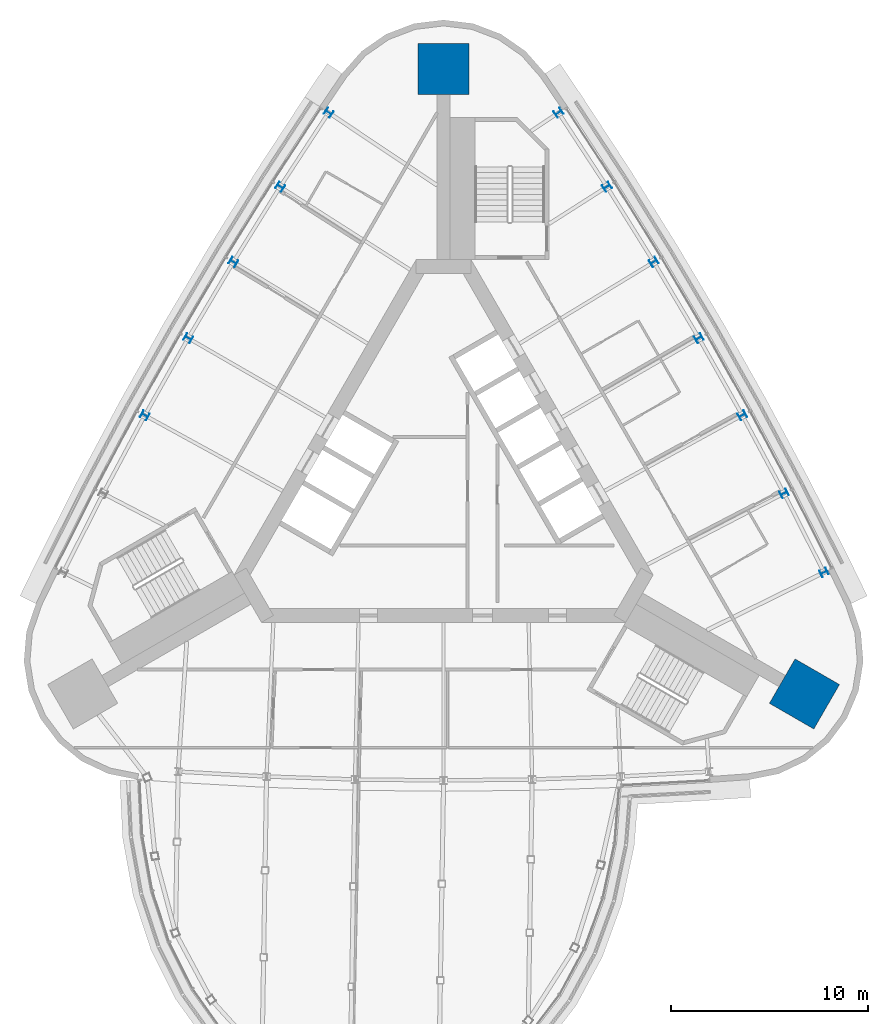
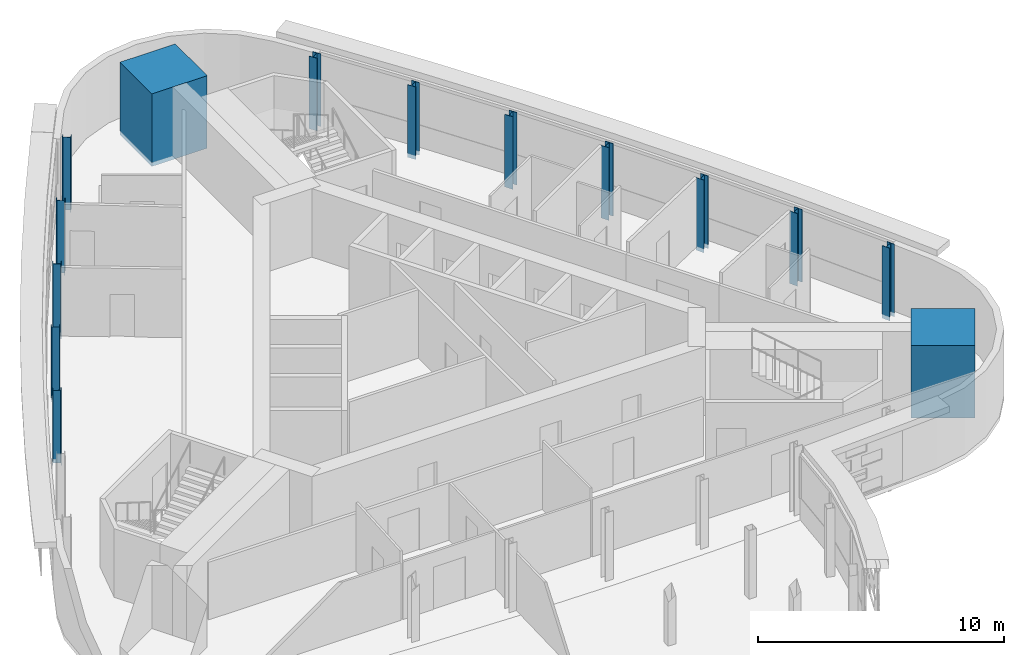
# One storey, part 2 of 14: 14 columns.
"""IFC4 building model written with IfcOpenShell, lengths in metres."""

from ifc_helpers import new_model, si_unit, direction, frame, origin, origin_2d, place, context, subcontext, project, spatial, rectangle, i_section, extrude, material, material_profile, profile_set, type_object, element, save


model = new_model("IFC4")

# Units and contexts
model_context = context("Model", 3, precision=1e-05, world=origin(), true_north=direction((0.0, 1.0)))
body_context = subcontext(model_context, "Body", "Model", "MODEL_VIEW")
ifc_project = project(units=[si_unit("LENGTHUNIT", "METRE"), si_unit("AREAUNIT", "SQUARE_METRE"), si_unit("VOLUMEUNIT", "CUBIC_METRE"), si_unit("PLANEANGLEUNIT", "RADIAN"), si_unit("MASSUNIT", "GRAM", prefix="KILO")], contexts=[model_context])

# Site, building, storey
site_placement = place(None, origin())
site = spatial("IfcSite", under=ifc_project, at=site_placement, CompositionType="ELEMENT")
building_placement = place(site_placement, origin())
building = spatial("IfcBuilding", under=site, at=building_placement, Name="Noor Cloister Tower", CompositionType="ELEMENT")
storey_placement = place(building_placement, frame((0.0, 0.0, 222.0)))
storey = spatial("IfcBuildingStorey", under=building, at=storey_placement, Name="L57", CompositionType="ELEMENT", Elevation=222.0)

# Columns
ifc_material_1 = material(Name="Steel ASTM A992 Gr 50", Category="steel")
ifc_material_profile_1 = material_profile(ifc_material_1, i_section(OverallWidth=0.373046875, OverallDepth=0.367919921875, WebThickness=0.014892578125, FlangeThickness=0.02392578125, FilletRadius=0.01513671875, at=origin_2d()), Name="W360x179")
ifc_profile_set_1 = profile_set([ifc_material_profile_1], Name="Steel ASTM A992 Gr 50")
column_type_1 = type_object("IfcColumnType", Name="Column W360x179", PredefinedType="COLUMN", material=ifc_profile_set_1)
for number, where, z_axis, x_axis, name in (
    (1, (-5.8251953125, 18.89794921875, -0.199951171875), (0.0, 0.0, 1.0), (-0.556360252768, -0.830941194755, 0.0), "Column NW 01 L57"),
    (2, (-8.280517578125, 15.1416015625, -0.199951171875), (0.0, 0.0, 1.0), (-0.537833901726, -0.843050825369, 0.0), "Column NW 02 L57"),
    (3, (-10.652099609375, 11.331787109375, -0.199951171875), (0.0, 0.0, 1.0), (-0.519044082631, -0.854747471647, 0.0), "Column NW 03 L57"),
    (4, (-12.93896484375, 7.47021484375, -0.199951171875), (0.0, 0.0, 1.0), (-0.5, -0.866025403784, 0.0), "Column NW 04 L57"),
    (5, (-15.1396484375, 3.55908203125, -0.199951171875), (0.0, 0.0, 1.0), (-0.480710982951, -0.876879097065, 0.0), "Column NW 05 L57"),
    (6, (19.278564453125, -4.404296875, -0.199951171875), (0.0, 0.0, 1.0), (-0.441436057324, 0.89729270993, 0.0), "Column NE 01 L57"),
    (7, (17.253173828125, -0.399658203125, -0.199951171875), (0.0, 0.0, 1.0), (-0.461186480588, 0.887303234595, 0.0), "Column NE 02 L57"),
    (8, (15.1396484375, 3.55908203125, -0.199951171875), (0.0, 0.0, 1.0), (-0.480710982951, 0.876879097065, 0.0), "Column NE 03 L57"),
    (9, (12.93896484375, 7.47021484375, -0.199951171875), (0.0, 0.0, 1.0), (-0.5, 0.866025403784, 0.0), "Column NE 04 L57"),
    (10, (10.652099609375, 11.331787109375, -0.199951171875), (0.0, 0.0, 1.0), (-0.519044082631, 0.854747471647, 0.0), "Column NE 05 L57"),
    (11, (8.280517578125, 15.1416015625, -0.199951171875), (0.0, 0.0, 1.0), (-0.537833901726, 0.843050825369, 0.0), "Column NE 06 L57"),
    (12, (5.8251953125, 18.89794921875, -0.199951171875), (0.0, 0.0, 1.0), (-0.556360252768, 0.830941194755, 0.0), "Column NE 07 L57"),
):
    element("IfcColumn", number, at=place(storey_placement, frame(where, z_axis=z_axis, x_axis=x_axis)), inside=storey, type_object=column_type_1, Name=name, PredefinedType="COLUMN", context=body_context, shape_type="SweptSolid", body=[
        extrude(i_section(OverallWidth=0.373046875, OverallDepth=0.367919921875, WebThickness=0.014892578125, FlangeThickness=0.02392578125, FilletRadius=0.01513671875, at=origin_2d()), origin(), (0.0, 0.0, 1.0), 3.599853515625),
    ])
ifc_material_2 = material(Name="Concrete C60/75", Category="concrete")
ifc_material_profile_2 = material_profile(ifc_material_2, rectangle(XDim=2.60009765625, YDim=2.60009765625, at=origin_2d()), Name="RC 2600x2600")
ifc_profile_set_2 = profile_set([ifc_material_profile_2], Name="Concrete C60/75")
column_type_2 = type_object("IfcColumnType", Name="Corner pier 2600 x 2600 C60/75", PredefinedType="COLUMN", material=ifc_profile_set_2)
for number, where, z_axis, x_axis, name in (
    (13, (0.0, 21.114990234375, -0.199951171875), (0.0, 0.0, 1.0), (0.0, 1.0, 0.0), "Corner pier N L57"),
    (14, (18.2861328125, -10.5576171875, -0.199951171875), (0.0, 0.0, 1.0), (0.866025403784, -0.5, 0.0), "Corner pier SE L57"),
):
    element("IfcColumn", number, at=place(storey_placement, frame(where, z_axis=z_axis, x_axis=x_axis)), inside=storey, type_object=column_type_2, Name=name, PredefinedType="COLUMN", context=body_context, shape_type="SweptSolid", body=[
        extrude(rectangle(XDim=2.60009765625, YDim=2.60009765625, at=origin_2d()), origin(), (0.0, 0.0, 1.0), 3.599853515625),
    ])

save(model, "model.ifc")
